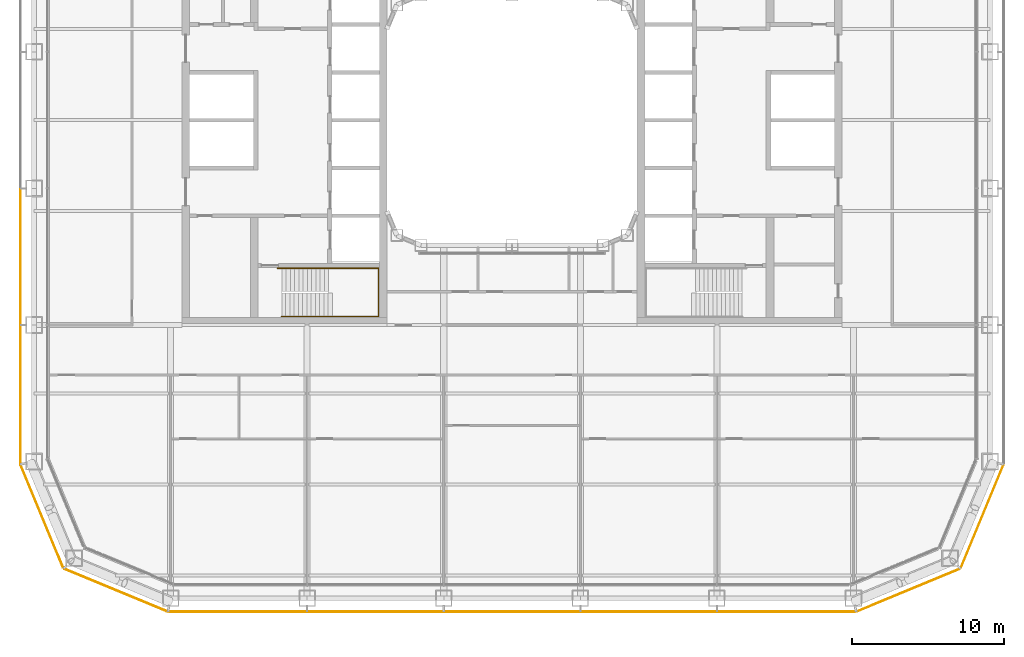
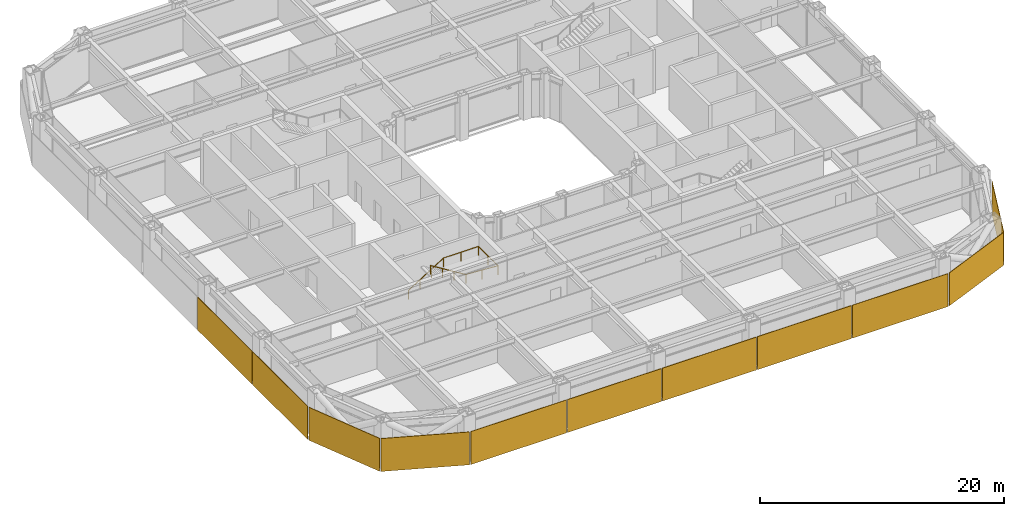
# One storey, part 20 of 24: 11 coverings, 1 railing.
"""IFC4 building model written with IfcOpenShell, lengths in metres."""

from ifc_helpers import new_model, si_unit, direction, frame, origin, origin_2d, place, context, subcontext, project, spatial, rectangle, circle, extrude, material, layer, layer_set, type_object, element, save


model = new_model("IFC4")

# Units and contexts
model_context = context("Model", 3, precision=1e-05, world=origin(), true_north=direction((0.0, 1.0)))
body_context = subcontext(model_context, "Body", "Model", "MODEL_VIEW")
ifc_project = project(units=[si_unit("LENGTHUNIT", "METRE"), si_unit("AREAUNIT", "SQUARE_METRE"), si_unit("VOLUMEUNIT", "CUBIC_METRE"), si_unit("PLANEANGLEUNIT", "RADIAN"), si_unit("MASSUNIT", "GRAM", prefix="KILO")], contexts=[model_context])

# Site, building, storey
site_placement = place(None, origin())
site = spatial("IfcSite", under=ifc_project, at=site_placement, CompositionType="ELEMENT")
building_placement = place(site_placement, origin())
building = spatial("IfcBuilding", under=site, at=building_placement, Name="Siwar Civic Tower", CompositionType="ELEMENT")
storey_placement = place(building_placement, frame((0.0, 0.0, 40.199951171875)))
storey = spatial("IfcBuildingStorey", under=building, at=storey_placement, Name="L08", CompositionType="ELEMENT", Elevation=40.199951171875)

# Railing
ifc_material_1 = material(Name="Stainless steel", Category="steel")
railing_type = type_object("IfcRailingType", Name="CORE-STAIR-HANDRAIL", PredefinedType="HANDRAIL", material=ifc_material_1)
railing_placement = place(storey_placement, frame((-15.449951171875, -9.758056640625, 0.173095703125)))
element("IfcRailing", 1, at=railing_placement, inside=storey, type_object=railing_type, Name="Stair handrail ST2", PredefinedType="HANDRAIL", context=body_context, shape_type="SweptSolid", body=[
    extrude(circle(Radius=0.02001953125, at=origin_2d()), frame((0.0, 0.0, 0.8798828125), z_axis=(0.847063342986, 0.0, 0.531491950051), x_axis=(0.0, 1.0, 0.0)), (0.0, 0.0, 1.0), 3.90771484375),
    extrude(circle(Radius=0.02001953125, at=origin_2d()), frame((3.31005859375, 0.0, 2.956787109375), z_axis=(1.0, 0.0, 0.0), x_axis=(0.0, 1.0, 0.0)), (0.0, 0.0, 1.0), 3.331787109375),
    extrude(circle(Radius=0.02001953125, at=origin_2d()), frame((6.641845703125, 0.0, 2.956787109375), z_axis=(0.0, -1.0, 0.0), x_axis=(1.0, 0.0, 0.0)), (0.0, 0.0, 1.0), 3.183837890625),
    extrude(circle(Radius=0.02001953125, at=origin_2d()), frame((6.641845703125, -3.183837890625, 2.956787109375), z_axis=(-0.99837434197, 0.0, 0.056997134106), x_axis=(0.0, -1.0, 0.0)), (0.0, 0.0, 1.0), 3.036865234375),
    extrude(circle(Radius=0.02001953125, at=origin_2d()), frame((3.60986328125, -3.183837890625, 3.1298828125), z_axis=(-0.850606129759, 0.0, 0.525803396734), x_axis=(0.0, -1.0, 0.0)), (0.0, 0.0, 1.0), 3.949951171875),
    extrude(circle(Radius=0.02001953125, at=origin_2d()), origin(), (0.0, 0.0, 1.0), 0.85986328125),
    extrude(circle(Radius=0.02001953125, at=origin_2d()), frame((1.103271484375, 0.0, 0.6923828125)), (0.0, 0.0, 1.0), 0.85986328125),
    extrude(circle(Radius=0.02001953125, at=origin_2d()), frame((2.206787109375, 0.0, 1.384521484375)), (0.0, 0.0, 1.0), 0.85986328125),
    extrude(circle(Radius=0.02001953125, at=origin_2d()), frame((3.31005859375, 0.0, 2.076904296875)), (0.0, 0.0, 1.0), 0.85986328125),
    extrude(circle(Radius=0.02001953125, at=origin_2d()), frame((4.97607421875, 0.0, 2.076904296875)), (0.0, 0.0, 1.0), 0.85986328125),
    extrude(circle(Radius=0.02001953125, at=origin_2d()), frame((6.641845703125, 0.0, 2.076904296875)), (0.0, 0.0, 1.0), 0.85986328125),
    extrude(circle(Radius=0.02001953125, at=origin_2d()), frame((6.641845703125, -1.591796875, 2.076904296875)), (0.0, 0.0, 1.0), 0.85986328125),
    extrude(circle(Radius=0.02001953125, at=origin_2d()), frame((6.641845703125, -3.183837890625, 2.076904296875)), (0.0, 0.0, 1.0), 0.85986328125),
    extrude(circle(Radius=0.02001953125, at=origin_2d()), frame((5.1259765625, -3.183837890625, 2.16357421875)), (0.0, 0.0, 1.0), 0.85986328125),
    extrude(circle(Radius=0.02001953125, at=origin_2d()), frame((3.60986328125, -3.183837890625, 2.25)), (0.0, 0.0, 1.0), 0.85986328125),
    extrude(circle(Radius=0.02001953125, at=origin_2d()), frame((2.489990234375, -3.183837890625, 2.9423828125)), (0.0, 0.0, 1.0), 0.85986328125),
    extrude(circle(Radius=0.02001953125, at=origin_2d()), frame((1.369873046875, -3.183837890625, 3.634521484375)), (0.0, 0.0, 1.0), 0.85986328125),
    extrude(circle(Radius=0.02001953125, at=origin_2d()), frame((0.25, -3.183837890625, 4.326904296875)), (0.0, 0.0, 1.0), 0.85986328125),
])

# Coverings
ifc_material_2 = material(Name="Perforated aluminium cassette, pale metal", Category="aluminium")
ifc_layer_1 = layer(ifc_material_2, 0.044921875)
ifc_layer_set_1 = layer_set([ifc_layer_1], Name="Perforated aluminium cassette, pale metal")
covering_type_1 = type_object("IfcCoveringType", Name="ENV-OUTER SKIN OS-2", PredefinedType="CLADDING", material=ifc_layer_set_1)
covering_1_placement = place(storey_placement, frame((30.976318359375, -26.115966796875, -0.14990234375), z_axis=(0.0, 0.0, 1.0), x_axis=(0.382683432365, 0.923879532511, 0.0)))
element("IfcCovering", 2, at=covering_1_placement, inside=storey, type_object=covering_type_1, Name="OUTER SKIN OS-2 SE2 1", PredefinedType="CLADDING", context=body_context, shape_type="SweptSolid", body=[
    extrude(rectangle(XDim=7.300048828125, YDim=0.044921875, at=origin_2d()), origin(), (0.0, 0.0, 1.0), 3.300048828125),
])
ifc_material_3 = material(Name="Perforated aluminium cassette, pale metal", Category="aluminium")
ifc_layer_2 = layer(ifc_material_3, 0.050048828125)
ifc_layer_set_2 = layer_set([ifc_layer_2], Name="Perforated aluminium cassette, pale metal")
covering_type_2 = type_object("IfcCoveringType", Name="ENV-OUTER SKIN OS-3", PredefinedType="CLADDING", material=ifc_layer_set_2)
covering_2_placement = place(storey_placement, frame((26.115966796875, -30.976318359375, -0.14990234375), z_axis=(0.0, 0.0, 1.0), x_axis=(0.923879532511, 0.382683432365, 0.0)))
element("IfcCovering", 3, at=covering_2_placement, inside=storey, type_object=covering_type_2, Name="OUTER SKIN OS-3 SE1 1", PredefinedType="CLADDING", context=body_context, shape_type="SweptSolid", body=[
    extrude(rectangle(XDim=7.300048828125, YDim=0.050048828125, at=origin_2d()), origin(), (0.0, 0.0, 1.0), 3.300048828125),
])
covering_3_placement = place(storey_placement, frame((-32.39990234375, -9.0, -0.14990234375), z_axis=(0.0, 0.0, 1.0), x_axis=(0.0, -1.0, 0.0)))
element("IfcCovering", 4, at=covering_3_placement, inside=storey, type_object=covering_type_2, Name="OUTER SKIN OS-3 W 4", PredefinedType="CLADDING", context=body_context, shape_type="SweptSolid", body=[
    extrude(rectangle(XDim=8.89990234375, YDim=0.050048828125, at=origin_2d()), origin(), (0.0, 0.0, 1.0), 3.300048828125),
])
covering_4_placement = place(storey_placement, frame((-32.39990234375, -18.07958984375, -0.14990234375), z_axis=(0.0, 0.0, 1.0), x_axis=(0.0, -1.0, 0.0)))
element("IfcCovering", 5, at=covering_4_placement, inside=storey, type_object=covering_type_2, Name="OUTER SKIN OS-3 W 5", PredefinedType="CLADDING", context=body_context, shape_type="SweptSolid", body=[
    extrude(rectangle(XDim=9.05908203125, YDim=0.050048828125, at=origin_2d()), origin(), (0.0, 0.0, 1.0), 3.300048828125),
])
ifc_material_4 = material(Name="Perforated aluminium cassette, pale metal", Category="aluminium")
ifc_layer_3 = layer(ifc_material_4, 0.054931640625)
ifc_layer_set_3 = layer_set([ifc_layer_3], Name="Perforated aluminium cassette, pale metal")
covering_type_3 = type_object("IfcCoveringType", Name="ENV-OUTER SKIN OS-4", PredefinedType="CLADDING", material=ifc_layer_set_3)
covering_5_placement = place(storey_placement, frame((-18.07958984375, -32.39990234375, -0.14990234375), z_axis=(0.0, 0.0, 1.0), x_axis=(1.0, 0.0, 0.0)))
element("IfcCovering", 6, at=covering_5_placement, inside=storey, type_object=covering_type_3, Name="OUTER SKIN OS-4 S 1", PredefinedType="CLADDING", context=body_context, shape_type="SweptSolid", body=[
    extrude(rectangle(XDim=9.05908203125, YDim=0.054931640625, at=origin_2d()), origin(), (0.0, 0.0, 1.0), 3.300048828125),
])
for number, where, z_axis, x_axis, name in (
    (7, (-9.0, -32.39990234375, -0.14990234375), (0.0, 0.0, 1.0), (1.0, 0.0, 0.0), "OUTER SKIN OS-4 S 2"),
    (8, (0.0, -32.39990234375, -0.14990234375), (0.0, 0.0, 1.0), (1.0, 0.0, 0.0), "OUTER SKIN OS-4 S 3"),
    (9, (9.0, -32.39990234375, -0.14990234375), (0.0, 0.0, 1.0), (1.0, 0.0, 0.0), "OUTER SKIN OS-4 S 4"),
):
    element("IfcCovering", number, at=place(storey_placement, frame(where, z_axis=z_axis, x_axis=x_axis)), inside=storey, type_object=covering_type_3, Name=name, PredefinedType="CLADDING", context=body_context, shape_type="SweptSolid", body=[
        extrude(rectangle(XDim=8.89990234375, YDim=0.054931640625, at=origin_2d()), origin(), (0.0, 0.0, 1.0), 3.300048828125),
    ])
covering_6_placement = place(storey_placement, frame((18.07958984375, -32.39990234375, -0.14990234375), z_axis=(0.0, 0.0, 1.0), x_axis=(1.0, 0.0, 0.0)))
element("IfcCovering", 10, at=covering_6_placement, inside=storey, type_object=covering_type_3, Name="OUTER SKIN OS-4 S 5", PredefinedType="CLADDING", context=body_context, shape_type="SweptSolid", body=[
    extrude(rectangle(XDim=9.05908203125, YDim=0.054931640625, at=origin_2d()), origin(), (0.0, 0.0, 1.0), 3.300048828125),
])
for number, where, z_axis, x_axis, name in (
    (11, (-30.976318359375, -26.115966796875, -0.14990234375), (0.0, 0.0, 1.0), (0.382683432365, -0.923879532511, 0.0), "OUTER SKIN OS-4 SW1 1"),
    (12, (-26.115966796875, -30.976318359375, -0.14990234375), (0.0, 0.0, 1.0), (0.923879532511, -0.382683432365, 0.0), "OUTER SKIN OS-4 SW2 1"),
):
    element("IfcCovering", number, at=place(storey_placement, frame(where, z_axis=z_axis, x_axis=x_axis)), inside=storey, type_object=covering_type_3, Name=name, PredefinedType="CLADDING", context=body_context, shape_type="SweptSolid", body=[
        extrude(rectangle(XDim=7.300048828125, YDim=0.054931640625, at=origin_2d()), origin(), (0.0, 0.0, 1.0), 3.300048828125),
    ])

save(model, "model.ifc")
